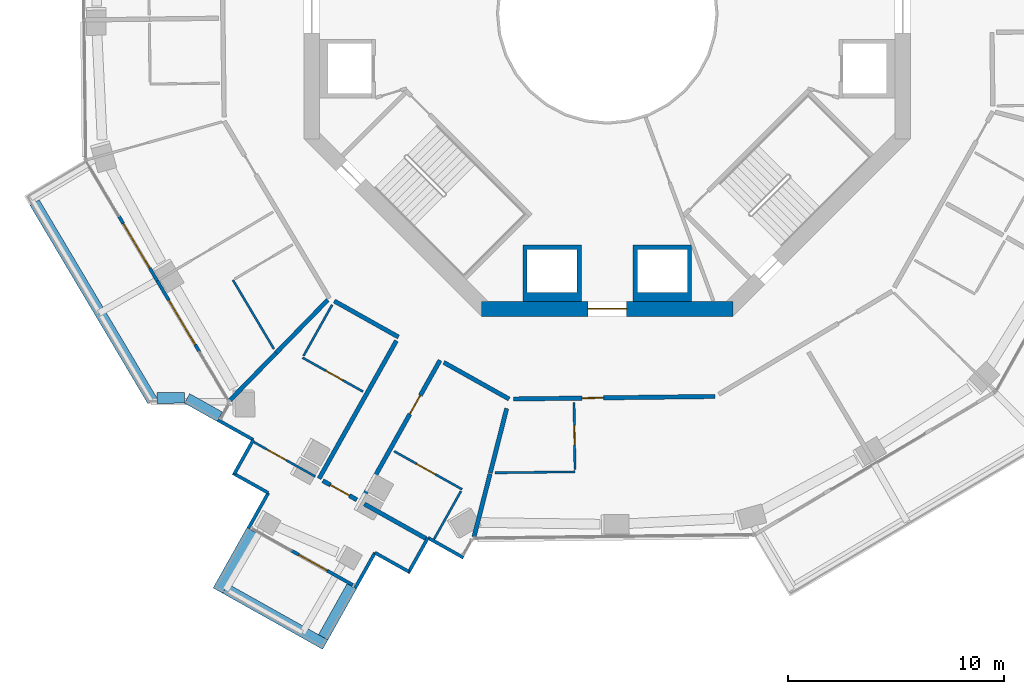
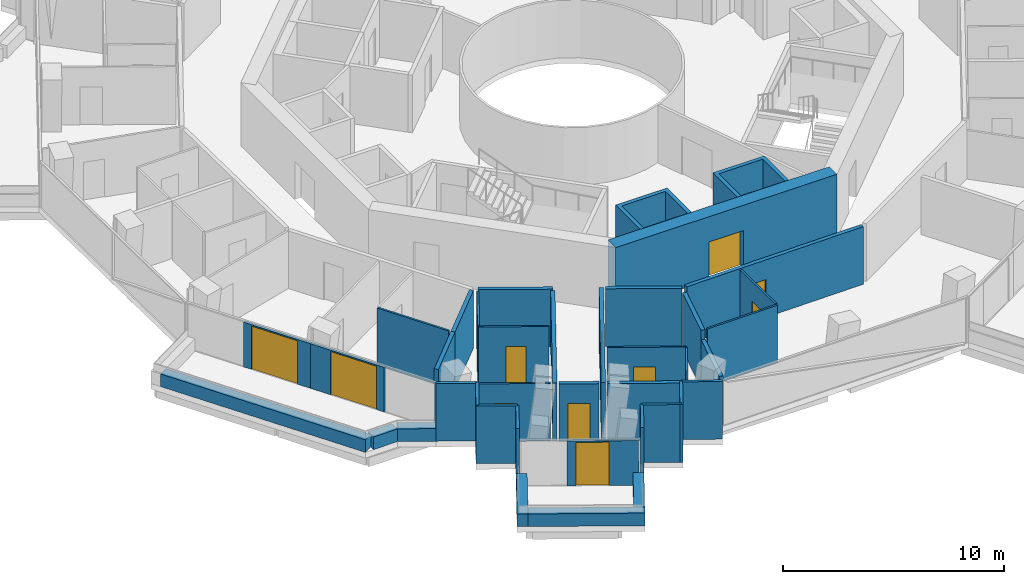
# One storey, part 13 of 21: 39 walls, 11 doors, 11 openings.
"""IFC4 building model written with IfcOpenShell, lengths in metres."""

from ifc_helpers import new_model, si_unit, direction, frame, frame_2d, origin, place, context, subcontext, project, spatial, polyline, rectangle, outline, extrude, material, layer, layer_set, type_object, element, fill, save


model = new_model("IFC4")

# Units and contexts
model_context = context("Model", 3, precision=1e-05, world=origin(), true_north=direction((0.0, 1.0)))
body_context = subcontext(model_context, "Body", "Model", "MODEL_VIEW")
ifc_project = project(units=[si_unit("LENGTHUNIT", "METRE"), si_unit("AREAUNIT", "SQUARE_METRE"), si_unit("VOLUMEUNIT", "CUBIC_METRE"), si_unit("PLANEANGLEUNIT", "RADIAN"), si_unit("MASSUNIT", "GRAM", prefix="KILO")], contexts=[model_context])

# Site, building, storey
site_placement = place(None, origin())
site = spatial("IfcSite", under=ifc_project, at=site_placement, CompositionType="ELEMENT")
building_placement = place(site_placement, origin())
building = spatial("IfcBuilding", under=site, at=building_placement, Name="Verdalira Terraces Hotel", CompositionType="ELEMENT")
storey_placement = place(building_placement, frame((0.0, 0.0, 158.5)))
storey = spatial("IfcBuildingStorey", under=building, at=storey_placement, Name="L38", CompositionType="ELEMENT", Elevation=158.5)

# Walls
ifc_material_1 = material(Name="Concrete C40", Category="concrete")
ifc_layer_1 = layer(ifc_material_1, 0.5)
ifc_layer_set_1 = layer_set([ifc_layer_1], Name="Balcony planter trough with tree")
wall_type_1 = type_object("IfcWallType", Name="Balcony planter trough with tree", PredefinedType="SOLIDWALL", material=ifc_layer_set_1)
wall_1_placement = place(storey_placement, frame((-26.455322, -8.741211, 0.0), z_axis=(0.0, 0.0, 1.0), x_axis=(0.510844266, -0.859673273, 0.0)))
element("IfcWall", 1, at=wall_1_placement, inside=storey, type_object=wall_type_1, Name="Balcony planter", PredefinedType="SOLIDWALL", context=body_context, shape_type="SweptSolid", body=[
    extrude(rectangle(XDim=10.652344, YDim=0.5, at=frame_2d((5.326172, 0.0))), origin(), (0.0, 0.0, 1.0), 0.699951),
])
wall_2_placement = place(storey_placement, frame((-20.798584, -17.770996, 0.0), z_axis=(0.0, 0.0, 1.0), x_axis=(0.999920914, 0.012576405, 0.0)))
element("IfcWall", 2, at=wall_2_placement, inside=storey, type_object=wall_type_1, Name="Balcony planter", PredefinedType="SOLIDWALL", context=body_context, shape_type="SweptSolid", body=[
    extrude(rectangle(XDim=1.261719, YDim=0.5, at=frame_2d((0.630859, 0.0))), origin(), (0.0, 0.0, 1.0), 0.699951),
])
wall_3_placement = place(storey_placement, frame((-19.411377, -17.787109, 0.0), z_axis=(0.0, 0.0, 1.0), x_axis=(0.872241358, -0.489075672, 0.0)))
element("IfcWall", 3, at=wall_3_placement, inside=storey, type_object=wall_type_1, Name="Balcony planter", PredefinedType="SOLIDWALL", context=body_context, shape_type="SweptSolid", body=[
    extrude(rectangle(XDim=1.731201, YDim=0.5, at=frame_2d((0.865723, 0.0))), origin(), (0.0, 0.0, 1.0), 0.699951),
])
wall_4_placement = place(storey_placement, frame((-16.425781, -23.876221, 0.0), z_axis=(0.0, 0.0, 1.0), x_axis=(-0.489112217, -0.872220866, 0.0)))
element("IfcWall", 4, at=wall_4_placement, inside=storey, type_object=wall_type_1, Name="Balcony planter", PredefinedType="SOLIDWALL", context=body_context, shape_type="SweptSolid", body=[
    extrude(rectangle(XDim=3.198975, YDim=0.5, at=frame_2d((1.599609, 0.0))), origin(), (0.0, 0.0, 1.0), 0.699951),
])
wall_5_placement = place(storey_placement, frame((-17.650146, -26.570801, 0.0), z_axis=(0.0, 0.0, 1.0), x_axis=(0.87224274, -0.489073207, 0.0)))
element("IfcWall", 5, at=wall_5_placement, inside=storey, type_object=wall_type_1, Name="Balcony planter", PredefinedType="SOLIDWALL", context=body_context, shape_type="SweptSolid", body=[
    extrude(rectangle(XDim=5.299805, YDim=0.5, at=frame_2d((2.649902, 0.0))), origin(), (0.0, 0.0, 1.0), 0.699951),
])
wall_6_placement = place(storey_placement, frame((-13.123047, -28.82251, 0.0), z_axis=(0.0, 0.0, 1.0), x_axis=(0.4890798, 0.872239044, 0.0)))
element("IfcWall", 6, at=wall_6_placement, inside=storey, type_object=wall_type_1, Name="Balcony planter", PredefinedType="SOLIDWALL", context=body_context, shape_type="SweptSolid", body=[
    extrude(rectangle(XDim=2.698975, YDim=0.5, at=frame_2d((1.349609, 0.0))), origin(), (0.0, 0.0, 1.0), 0.699951),
])
ifc_material_2 = material(Name="Moisture-resistant gypsum board partition")
ifc_layer_2 = layer(ifc_material_2, 0.10009765625)
ifc_layer_set_2 = layer_set([ifc_layer_2], Name="Bathroom partition 100 mm")
wall_type_2 = type_object("IfcWallType", Name="Bathroom partition 100 mm", PredefinedType="PARTITIONING", material=ifc_layer_set_2)
wall_7_placement = place(storey_placement, frame((-17.291016, -12.320312, 0.0), z_axis=(0.0, 0.0, 1.0), x_axis=(0.51084636, -0.859672029, 0.0)))
element("IfcWall", 7, at=wall_7_placement, inside=storey, type_object=wall_type_2, Name="Bathroom partition", PredefinedType="PARTITIONING", context=body_context, shape_type="SweptSolid", body=[
    extrude(rectangle(XDim=3.703857, YDim=0.100098, at=frame_2d((1.852051, 0.0))), origin(), (0.0, 0.0, 1.0), 3.189941),
])

# Wall, opening, door
wall_8_placement = place(storey_placement, frame((-16.32373, -19.804932, 0.0), z_axis=(0.0, 0.0, 1.0), x_axis=(0.872220381, -0.489113082, 0.0)))
wall_8 = element("IfcWall", 8, at=wall_8_placement, inside=storey, type_object=wall_type_2, Name="Bathroom partition", PredefinedType="PARTITIONING", context=body_context, shape_type="SweptSolid", body=[
    extrude(rectangle(XDim=3.251953, YDim=0.100098, at=frame_2d((1.625977, 0.0))), origin(), (0.0, 0.0, 1.0), 3.189941),
])
opening_1_placement = place(wall_8_placement, frame((0.699951, 0.0, 0.0)))
opening_1 = element("IfcOpeningElement", 9, at=opening_1_placement, cuts=wall_8, Name="Opening L38-117", PredefinedType="OPENING", context=body_context, shape_type="SweptSolid", body=[
    extrude(rectangle(XDim=1.0, YDim=2.100098, at=frame_2d((0.5, 1.050049))), frame((0.0, 0.060059, 0.0), z_axis=(0.0, -1.0, 0.0), x_axis=(1.0, 0.0, 0.0)), (0.0, 0.0, 1.0), 0.120117),
])
ifc_material_3 = material(Name="Timber door", Category="wood")
door_type_1 = type_object("IfcDoorType", Name="Suite internal door 1000 x 2100", OperationType="NOTDEFINED", PredefinedType="DOOR", material=ifc_material_3)
door_1_placement = place(opening_1_placement, origin())
door_1 = element("IfcDoor", 10, at=door_1_placement, inside=storey, type_object=door_type_1, Name="Suite internal door 3804", OperationType="SINGLE_SWING_LEFT", OverallHeight=2.10009765625, OverallWidth=1.0, PredefinedType="DOOR", context=body_context, shape_type="SweptSolid", body=[
    extrude(rectangle(XDim=1.0, YDim=2.100098, at=frame_2d((0.5, 1.050049))), frame((0.0, 0.024902, 0.0), z_axis=(0.0, -1.0, 0.0), x_axis=(1.0, 0.0, 0.0)), (0.0, 0.0, 1.0), 0.050049),
])
fill(opening_1, door_1)

# Wall
wall_9_placement = place(storey_placement, frame((-12.708008, -13.463135, 0.0), z_axis=(0.0, 0.0, 1.0), x_axis=(-0.489101666, -0.872226783, 0.0)))
element("IfcWall", 11, at=wall_9_placement, inside=storey, type_object=wall_type_2, Name="Bathroom partition", PredefinedType="PARTITIONING", context=body_context, shape_type="SweptSolid", body=[
    extrude(rectangle(XDim=2.699951, YDim=0.100098, at=frame_2d((1.350098, 0.0))), origin(), (0.0, 0.0, 1.0), 3.189941),
])

# Wall, opening, door
wall_10_placement = place(storey_placement, frame((-14.077393, -15.905518, 0.0), z_axis=(0.0, 0.0, 1.0), x_axis=(0.872243074, -0.489072612, 0.0)))
wall_10 = element("IfcWall", 12, at=wall_10_placement, inside=storey, type_object=wall_type_2, Name="Bathroom partition", PredefinedType="PARTITIONING", context=body_context, shape_type="SweptSolid", body=[
    extrude(rectangle(XDim=3.199707, YDim=0.100098, at=frame_2d((1.599854, 0.0))), origin(), (0.0, 0.0, 1.0), 3.189941),
])
opening_2_placement = place(wall_10_placement, frame((1.25, 0.0, 0.0)))
opening_2 = element("IfcOpeningElement", 13, at=opening_2_placement, cuts=wall_10, Name="Opening L38-118", PredefinedType="OPENING", context=body_context, shape_type="SweptSolid", body=[
    extrude(rectangle(XDim=0.899902, YDim=2.100098, at=frame_2d((0.449951, 1.050049))), frame((0.0, 0.060059, 0.0), z_axis=(0.0, -1.0, 0.0), x_axis=(1.0, 0.0, 0.0)), (0.0, 0.0, 1.0), 0.120117),
])
ifc_material_4 = material(Name="Timber door", Category="wood")
door_type_2 = type_object("IfcDoorType", Name="Bathroom door 900 x 2100", OperationType="NOTDEFINED", PredefinedType="DOOR", material=ifc_material_4)
door_2_placement = place(opening_2_placement, origin())
door_2 = element("IfcDoor", 14, at=door_2_placement, inside=storey, type_object=door_type_2, Name="Bathroom door 3804", OperationType="SINGLE_SWING_LEFT", OverallHeight=2.10009765625, OverallWidth=0.89990234375, PredefinedType="DOOR", context=body_context, shape_type="SweptSolid", body=[
    extrude(rectangle(XDim=0.899902, YDim=2.100098, at=frame_2d((0.449951, 1.050049))), frame((0.0, 0.024902, 0.0), z_axis=(0.0, -1.0, 0.0), x_axis=(1.0, 0.0, 0.0)), (0.0, 0.0, 1.0), 0.050049),
])
fill(opening_2, door_2)

wall_11_placement = place(storey_placement, frame((-6.709961, -21.985596, 0.0), z_axis=(0.0, 0.0, 1.0), x_axis=(-0.872237598, 0.489082379, 0.0)))
wall_11 = element("IfcWall", 15, at=wall_11_placement, inside=storey, type_object=wall_type_2, Name="Bathroom partition", PredefinedType="PARTITIONING", context=body_context, shape_type="SweptSolid", body=[
    extrude(rectangle(XDim=3.600098, YDim=0.100098, at=frame_2d((1.800049, 0.0))), origin(), (0.0, 0.0, 1.0), 3.189941),
])
opening_3_placement = place(wall_11_placement, frame((1.399902, 0.0, 0.0)))
opening_3 = element("IfcOpeningElement", 16, at=opening_3_placement, cuts=wall_11, Name="Opening L38-120", PredefinedType="OPENING", context=body_context, shape_type="SweptSolid", body=[
    extrude(rectangle(XDim=1.0, YDim=2.100098, at=frame_2d((0.5, 1.050049))), frame((0.0, 0.060059, 0.0), z_axis=(0.0, -1.0, 0.0), x_axis=(1.0, 0.0, 0.0)), (0.0, 0.0, 1.0), 0.120117),
])
ifc_material_5 = material(Name="Timber door", Category="wood")
door_type_3 = type_object("IfcDoorType", Name="Bathroom door 1000 x 2100", OperationType="NOTDEFINED", PredefinedType="DOOR", material=ifc_material_5)
door_3_placement = place(opening_3_placement, origin())
door_3 = element("IfcDoor", 17, at=door_3_placement, inside=storey, type_object=door_type_3, Name="Bathroom door 3805", OperationType="SINGLE_SWING_LEFT", OverallHeight=2.10009765625, OverallWidth=1.0, PredefinedType="DOOR", context=body_context, shape_type="SweptSolid", body=[
    extrude(rectangle(XDim=1.0, YDim=2.100098, at=frame_2d((0.5, 1.050049))), frame((0.0, 0.024902, 0.0), z_axis=(0.0, -1.0, 0.0), x_axis=(1.0, 0.0, 0.0)), (0.0, 0.0, 1.0), 0.050049),
])
fill(opening_3, door_3)

# Walls
wall_12_placement = place(storey_placement, frame((-6.758789, -22.072754, 0.0), z_axis=(0.0, 0.0, 1.0), x_axis=(-0.489101779, -0.872226719, 0.0)))
element("IfcWall", 18, at=wall_12_placement, inside=storey, type_object=wall_type_2, Name="Bathroom partition", PredefinedType="PARTITIONING", context=body_context, shape_type="SweptSolid", body=[
    extrude(rectangle(XDim=2.550293, YDim=0.100098, at=frame_2d((1.275146, 0.0))), origin(), (0.0, 0.0, 1.0), 3.189941),
])
wall_13_placement = place(storey_placement, frame((-1.492188, -21.178711, 0.0), z_axis=(0.0, 0.0, 1.0), x_axis=(-0.999920758, -0.012588812, 0.0)))
element("IfcWall", 19, at=wall_13_placement, inside=storey, type_object=wall_type_2, Name="Bathroom partition", PredefinedType="PARTITIONING", context=body_context, shape_type="SweptSolid", body=[
    extrude(rectangle(XDim=3.704102, YDim=0.100098, at=frame_2d((1.852051, 0.0))), origin(), (0.0, 0.0, 1.0), 3.189941),
])

# Wall, opening, door
wall_14_placement = place(storey_placement, frame((-1.493652, -21.078857, 0.0), z_axis=(0.0, 0.0, 1.0), x_axis=(-0.012521661, 0.999921601, 0.0)))
wall_14 = element("IfcWall", 20, at=wall_14_placement, inside=storey, type_object=wall_type_2, Name="Bathroom partition", PredefinedType="PARTITIONING", context=body_context, shape_type="SweptSolid", body=[
    extrude(rectangle(XDim=3.100098, YDim=0.100098, at=frame_2d((1.550049, 0.0))), origin(), (0.0, 0.0, 1.0), 3.189941),
])
opening_4_placement = place(wall_14_placement, frame((1.149902, 0.0, 0.0)))
opening_4 = element("IfcOpeningElement", 21, at=opening_4_placement, cuts=wall_14, Name="Opening L38-122", PredefinedType="OPENING", context=body_context, shape_type="SweptSolid", body=[
    extrude(rectangle(XDim=0.899902, YDim=2.100098, at=frame_2d((0.449951, 1.050049))), frame((0.0, 0.060059, 0.0), z_axis=(0.0, -1.0, 0.0), x_axis=(1.0, 0.0, 0.0)), (0.0, 0.0, 1.0), 0.120117),
])
door_4_placement = place(opening_4_placement, origin())
door_4 = element("IfcDoor", 22, at=door_4_placement, inside=storey, type_object=door_type_2, Name="Bathroom door 3806", OperationType="SINGLE_SWING_LEFT", OverallHeight=2.10009765625, OverallWidth=0.89990234375, PredefinedType="DOOR", context=body_context, shape_type="SweptSolid", body=[
    extrude(rectangle(XDim=0.899902, YDim=2.100098, at=frame_2d((0.449951, 1.050049))), frame((0.0, 0.024902, 0.0), z_axis=(0.0, -1.0, 0.0), x_axis=(1.0, 0.0, 0.0)), (0.0, 0.0, 1.0), 0.050049),
])
fill(opening_4, door_4)

# Walls
ifc_material_6 = material(Name="Concrete C50", Category="concrete")
ifc_layer_3 = layer(ifc_material_6, 0.199951171875)
ifc_layer_set_3 = layer_set([ifc_layer_3], Name="Core RC wall 200 C50")
wall_type_3 = type_object("IfcWallType", Name="Core RC wall 200 C50", PredefinedType="SOLIDWALL", material=ifc_layer_set_3)
wall_15_placement = place(storey_placement, origin())
element("IfcWall", 23, at=wall_15_placement, inside=storey, type_object=wall_type_3, Name="L38 shaft wall S1", PredefinedType="SOLIDWALL", context=body_context, shape_type="SweptSolid", body=[
    extrude(outline(polyline([(-1.199951, -13.300049), (-3.899902, -13.300049), (-3.899902, -10.699951), (-1.199951, -10.699951), (-1.199951, -13.300049)]), holes=[polyline([(-3.699951, -10.899902), (-3.699951, -12.899902), (-1.399902, -12.899902), (-1.399902, -10.899902), (-3.699951, -10.899902)])]), origin(), (0.0, 0.0, 1.0), 3.189941),
])
wall_16_placement = place(storey_placement, origin())
element("IfcWall", 24, at=wall_16_placement, inside=storey, type_object=wall_type_3, Name="L38 shaft wall S2", PredefinedType="SOLIDWALL", context=body_context, shape_type="SweptSolid", body=[
    extrude(outline(polyline([(3.899902, -10.699951), (3.899902, -13.300049), (1.199951, -13.300049), (1.199951, -10.699951), (3.899902, -10.699951)]), holes=[polyline([(1.399902, -12.899902), (3.699951, -12.899902), (3.699951, -10.899902), (1.399902, -10.899902), (1.399902, -12.899902)])]), origin(), (0.0, 0.0, 1.0), 3.189941),
])

# Wall, opening, door
ifc_material_7 = material(Name="Concrete C60", Category="concrete")
ifc_layer_4 = layer(ifc_material_7, 0.699951171875)
ifc_layer_set_4 = layer_set([ifc_layer_4], Name="Core wall 700 C60")
wall_type_4 = type_object("IfcWallType", Name="Core wall 700 C60", PredefinedType="SHEAR", material=ifc_layer_set_4)
wall_17_placement = place(storey_placement, frame((-5.799072, -13.649902, 0.0), z_axis=(0.0, 0.0, 1.0), x_axis=(1.0, 0.0, 0.0)))
wall_17 = element("IfcWall", 25, at=wall_17_placement, inside=storey, type_object=wall_type_4, Name="Core wall CW-L38-7", PredefinedType="SHEAR", context=body_context, shape_type="SweptSolid", body=[
    extrude(rectangle(XDim=11.598145, YDim=0.699951, at=frame_2d((5.799072, 0.0))), origin(), (0.0, 0.0, 1.0), 3.5),
])
opening_5_placement = place(wall_17_placement, frame((4.898926, 0.0, 0.0)))
opening_5 = element("IfcOpeningElement", 26, at=opening_5_placement, cuts=wall_17, Name="Opening L38-815", PredefinedType="OPENING", context=body_context, shape_type="SweptSolid", body=[
    extrude(rectangle(XDim=1.800049, YDim=2.100098, at=frame_2d((0.899902, 1.050049))), frame((0.0, 0.359863, 0.0), z_axis=(0.0, -1.0, 0.0), x_axis=(1.0, 0.0, 0.0)), (0.0, 0.0, 1.0), 0.719971),
])
ifc_material_8 = material(Name="Steel fire door", Category="steel")
door_type_4 = type_object("IfcDoorType", Name="Core entry door pair 1800 x 2100", OperationType="NOTDEFINED", PredefinedType="DOOR", material=ifc_material_8)
door_5_placement = place(opening_5_placement, origin())
door_5 = element("IfcDoor", 27, at=door_5_placement, inside=storey, type_object=door_type_4, Name="Core entry door L38 6", OperationType="DOUBLE_DOOR_SINGLE_SWING", OverallHeight=2.10009765625, OverallWidth=1.800048828125, PredefinedType="DOOR", context=body_context, shape_type="SweptSolid", body=[
    extrude(rectangle(XDim=1.800049, YDim=2.100098, at=frame_2d((0.899902, 1.050049))), frame((0.0, 0.024902, 0.0), z_axis=(0.0, -1.0, 0.0), x_axis=(1.0, 0.0, 0.0)), (0.0, 0.0, 1.0), 0.050049),
])
fill(opening_5, door_5)

# Walls
ifc_material_9 = material(Name="Fire-rated gypsum board wall")
ifc_layer_5 = layer(ifc_material_9, 0.199951171875)
ifc_layer_set_5 = layer_set([ifc_layer_5], Name="Demising wall 200 mm")
wall_type_5 = type_object("IfcWallType", Name="Demising wall 200 mm", PredefinedType="SOLIDWALL", material=ifc_layer_set_5)
wall_18_placement = place(storey_placement, frame((-15.293213, -15.682373, 0.0), z_axis=(0.0, 0.0, 1.0), x_axis=(-0.698153316, -0.715948286, 0.0)))
element("IfcWall", 28, at=wall_18_placement, inside=storey, type_object=wall_type_5, Name="Demising wall", PredefinedType="SOLIDWALL", context=body_context, shape_type="SweptSolid", body=[
    extrude(rectangle(XDim=3.05957, YDim=0.199951, at=frame_2d((1.529785, 0.0))), origin(), (0.0, 0.0, 1.0), 3.189941),
])
wall_19_placement = place(storey_placement, frame((-12.907959, -13.236572, 0.0), z_axis=(0.0, 0.0, 1.0), x_axis=(-0.698189888, -0.71591262, 0.0)))
element("IfcWall", 29, at=wall_19_placement, inside=storey, type_object=wall_type_5, Name="Demising wall", PredefinedType="SOLIDWALL", context=body_context, shape_type="SweptSolid", body=[
    extrude(rectangle(XDim=3.41626, YDim=0.199951, at=frame_2d((1.708008, 0.0))), origin(), (0.0, 0.0, 1.0), 3.189941),
])
wall_20_placement = place(storey_placement, frame((-11.221191, -22.66626, 0.0), z_axis=(0.0, 0.0, 1.0), x_axis=(0.872270363, -0.489023939, 0.0)))
element("IfcWall", 30, at=wall_20_placement, inside=storey, type_object=wall_type_5, Name="Demising wall", PredefinedType="SOLIDWALL", context=body_context, shape_type="SweptSolid", body=[
    extrude(rectangle(XDim=3.251953, YDim=0.199951, at=frame_2d((1.625977, 0.0))), origin(), (0.0, 0.0, 1.0), 3.189941),
])
wall_21_placement = place(storey_placement, frame((-4.64502, -18.25, 0.0), z_axis=(0.0, 0.0, 1.0), x_axis=(-0.246699618, -0.969091997, 0.0)))
element("IfcWall", 31, at=wall_21_placement, inside=storey, type_object=wall_type_5, Name="Demising wall", PredefinedType="SOLIDWALL", context=body_context, shape_type="SweptSolid", body=[
    extrude(rectangle(XDim=3.074707, YDim=0.199951, at=frame_2d((1.537354, 0.0))), origin(), (0.0, 0.0, 1.0), 3.189941),
])
ifc_material_10 = material(Name="Fire-rated gypsum board wall")
ifc_layer_6 = layer(ifc_material_10, 0.199951171875)
ifc_layer_set_6 = layer_set([ifc_layer_6], Name="Demising wall 200 mm to beam soffit")
wall_type_6 = type_object("IfcWallType", Name="Demising wall 200 mm to beam soffit", PredefinedType="SOLIDWALL", material=ifc_layer_set_6)
wall_22_placement = place(storey_placement, frame((-5.414795, -21.274414, 0.0), z_axis=(0.0, 0.0, 1.0), x_axis=(-0.246711121, -0.969089068, 0.0)))
element("IfcWall", 32, at=wall_22_placement, inside=storey, type_object=wall_type_6, Name="Demising wall", PredefinedType="SOLIDWALL", context=body_context, shape_type="SweptSolid", body=[
    extrude(rectangle(XDim=3.01123, YDim=0.199951, at=frame_2d((1.505615, 0.0))), origin(), (0.0, 0.0, 1.0), 2.689941),
])

# Wall, opening, door
ifc_material_11 = material(Name="Fire-rated gypsum board wall")
ifc_layer_7 = layer(ifc_material_11, 0.199951171875)
ifc_layer_set_7 = layer_set([ifc_layer_7], Name="Guest corridor wall 200 mm")
wall_type_7 = type_object("IfcWallType", Name="Guest corridor wall 200 mm", PredefinedType="SOLIDWALL", material=ifc_layer_set_7)
wall_23_placement = place(storey_placement, frame((-11.566406, -22.472412, 0.0), z_axis=(0.0, 0.0, 1.0), x_axis=(-0.872261312, 0.489040084, 0.0)))
wall_23 = element("IfcWall", 33, at=wall_23_placement, inside=storey, type_object=wall_type_7, Name="Guest corridor wall", PredefinedType="SOLIDWALL", context=body_context, shape_type="SweptSolid", body=[
    extrude(rectangle(XDim=1.804199, YDim=0.199951, at=frame_2d((0.9021, 0.0))), origin(), (0.0, 0.0, 1.0), 3.189941),
])
opening_6_placement = place(wall_23_placement, frame((0.399902, 0.0, 0.0)))
opening_6 = element("IfcOpeningElement", 34, at=opening_6_placement, cuts=wall_23, Name="Opening L38-116", PredefinedType="OPENING", context=body_context, shape_type="SweptSolid", body=[
    extrude(rectangle(XDim=1.0, YDim=2.100098, at=frame_2d((0.5, 1.050049))), frame((0.0, 0.109863, 0.0), z_axis=(0.0, -1.0, 0.0), x_axis=(1.0, 0.0, 0.0)), (0.0, 0.0, 1.0), 0.219971),
])
ifc_material_12 = material(Name="Timber fire door", Category="wood")
door_type_5 = type_object("IfcDoorType", Name="Guest entry door 1000 x 2100", OperationType="NOTDEFINED", PredefinedType="DOOR", material=ifc_material_12)
door_6_placement = place(opening_6_placement, origin())
door_6 = element("IfcDoor", 35, at=door_6_placement, inside=storey, type_object=door_type_5, Name="Guest entry door 3804", OperationType="SINGLE_SWING_LEFT", OverallHeight=2.10009765625, OverallWidth=1.0, PredefinedType="DOOR", context=body_context, shape_type="SweptSolid", body=[
    extrude(rectangle(XDim=1.0, YDim=2.100098, at=frame_2d((0.5, 1.050049))), frame((0.0, 0.024902, 0.0), z_axis=(0.0, -1.0, 0.0), x_axis=(1.0, 0.0, 0.0)), (0.0, 0.0, 1.0), 0.050049),
])
fill(opening_6, door_6)

# Walls
wall_24_placement = place(storey_placement, frame((-9.742432, -15.125977, 0.0), z_axis=(0.0, 0.0, 1.0), x_axis=(-0.48907786, -0.872240131, 0.0)))
element("IfcWall", 36, at=wall_24_placement, inside=storey, type_object=wall_type_7, Name="Guest corridor wall", PredefinedType="SOLIDWALL", context=body_context, shape_type="SweptSolid", body=[
    extrude(rectangle(XDim=7.300049, YDim=0.199951, at=frame_2d((3.649902, 0.0))), origin(), (0.0, 0.0, 1.0), 3.189941),
])
wall_25_placement = place(storey_placement, frame((-12.610352, -13.288818, 0.0), z_axis=(0.0, 0.0, 1.0), x_axis=(0.872270806, -0.489023149, 0.0)))
element("IfcWall", 37, at=wall_25_placement, inside=storey, type_object=wall_type_7, Name="Guest corridor wall", PredefinedType="SOLIDWALL", context=body_context, shape_type="SweptSolid", body=[
    extrude(rectangle(XDim=3.399902, YDim=0.199951, at=frame_2d((1.699951, 0.0))), origin(), (0.0, 0.0, 1.0), 3.189941),
])

# Wall, opening, door
wall_26_placement = place(storey_placement, frame((-7.725586, -16.027588, 0.0), z_axis=(0.0, 0.0, 1.0), x_axis=(-0.489093951, -0.872231109, 0.0)))
wall_26 = element("IfcWall", 38, at=wall_26_placement, inside=storey, type_object=wall_type_7, Name="Guest corridor wall", PredefinedType="SOLIDWALL", context=body_context, shape_type="SweptSolid", body=[
    extrude(rectangle(XDim=7.5, YDim=0.199951, at=frame_2d((3.75, 0.0))), origin(), (0.0, 0.0, 1.0), 3.189941),
])
opening_7_placement = place(wall_26_placement, frame((1.850098, 0.0, 0.0)))
opening_7 = element("IfcOpeningElement", 39, at=opening_7_placement, cuts=wall_26, Name="Opening L38-119", PredefinedType="OPENING", context=body_context, shape_type="SweptSolid", body=[
    extrude(rectangle(XDim=1.0, YDim=2.100098, at=frame_2d((0.5, 1.050049))), frame((0.0, 0.109863, 0.0), z_axis=(0.0, -1.0, 0.0), x_axis=(1.0, 0.0, 0.0)), (0.0, 0.0, 1.0), 0.219971),
])
door_7_placement = place(opening_7_placement, origin())
door_7 = element("IfcDoor", 40, at=door_7_placement, inside=storey, type_object=door_type_5, Name="Guest entry door 3805", OperationType="SINGLE_SWING_LEFT", OverallHeight=2.10009765625, OverallWidth=1.0, PredefinedType="DOOR", context=body_context, shape_type="SweptSolid", body=[
    extrude(rectangle(XDim=1.0, YDim=2.100098, at=frame_2d((0.5, 1.050049))), frame((0.0, 0.024902, 0.0), z_axis=(0.0, -1.0, 0.0), x_axis=(1.0, 0.0, 0.0)), (0.0, 0.0, 1.0), 0.050049),
])
fill(opening_7, door_7)

# Wall
wall_27_placement = place(storey_placement, frame((-7.55127, -16.125244, 0.0), z_axis=(0.0, 0.0, 1.0), x_axis=(0.87222899, -0.489097729, 0.0)))
element("IfcWall", 41, at=wall_27_placement, inside=storey, type_object=wall_type_7, Name="Guest corridor wall", PredefinedType="SOLIDWALL", context=body_context, shape_type="SweptSolid", body=[
    extrude(rectangle(XDim=3.458252, YDim=0.199951, at=frame_2d((1.729004, 0.0))), origin(), (0.0, 0.0, 1.0), 3.189941),
])

# Wall, opening, door
wall_28_placement = place(storey_placement, frame((4.980713, -17.697021, 0.0), z_axis=(0.0, 0.0, 1.0), x_axis=(-0.999920882, -0.01257894, 0.0)))
wall_28 = element("IfcWall", 42, at=wall_28_placement, inside=storey, type_object=wall_type_7, Name="Guest corridor wall", PredefinedType="SOLIDWALL", context=body_context, shape_type="SweptSolid", body=[
    extrude(rectangle(XDim=9.316162, YDim=0.199951, at=frame_2d((4.658203, 0.0))), origin(), (0.0, 0.0, 1.0), 3.189941),
])
opening_8_placement = place(wall_28_placement, frame((5.149902, 0.0, 0.0)))
opening_8 = element("IfcOpeningElement", 43, at=opening_8_placement, cuts=wall_28, Name="Opening L38-121", PredefinedType="OPENING", context=body_context, shape_type="SweptSolid", body=[
    extrude(rectangle(XDim=1.0, YDim=2.100098, at=frame_2d((0.5, 1.050049))), frame((0.0, 0.109863, 0.0), z_axis=(0.0, -1.0, 0.0), x_axis=(1.0, 0.0, 0.0)), (0.0, 0.0, 1.0), 0.219971),
])
door_8_placement = place(opening_8_placement, origin())
door_8 = element("IfcDoor", 44, at=door_8_placement, inside=storey, type_object=door_type_5, Name="Guest entry door 3806", OperationType="SINGLE_SWING_LEFT", OverallHeight=2.10009765625, OverallWidth=1.0, PredefinedType="DOOR", context=body_context, shape_type="SweptSolid", body=[
    extrude(rectangle(XDim=1.0, YDim=2.100098, at=frame_2d((0.5, 1.050049))), frame((0.0, 0.024902, 0.0), z_axis=(0.0, -1.0, 0.0), x_axis=(1.0, 0.0, 0.0)), (0.0, 0.0, 1.0), 0.050049),
])
fill(opening_8, door_8)

# Walls
ifc_material_13 = material(Name="Terracotta cladding", Category="masonry")
ifc_layer_8 = layer(ifc_material_13, 0.14990234375)
ifc_layer_set_8 = layer_set([ifc_layer_8], Name="Terracotta clad wall 150")
wall_type_8 = type_object("IfcWallType", Name="Terracotta clad wall 150", PredefinedType="SOLIDWALL", material=ifc_layer_set_8)
wall_29_placement = place(storey_placement, frame((-17.986084, -18.786865, 0.0), z_axis=(0.0, 0.0, 1.0), x_axis=(0.872221634, -0.489110848, 0.0)))
element("IfcWall", 45, at=wall_29_placement, inside=storey, type_object=wall_type_8, Name="Terracotta cladding wall", PredefinedType="SOLIDWALL", context=body_context, shape_type="SweptSolid", body=[
    extrude(rectangle(XDim=1.874756, YDim=0.149902, at=frame_2d((0.9375, 0.0))), origin(), (0.0, 0.0, 1.0), 3.189941),
])
wall_30_placement = place(storey_placement, frame((-16.35083, -19.703857, 0.0), z_axis=(0.0, 0.0, 1.0), x_axis=(-0.488979181, -0.872295455, 0.0)))
element("IfcWall", 46, at=wall_30_placement, inside=storey, type_object=wall_type_8, Name="Terracotta cladding wall", PredefinedType="SOLIDWALL", context=body_context, shape_type="SweptSolid", body=[
    extrude(rectangle(XDim=1.800049, YDim=0.149902, at=frame_2d((0.899902, 0.0))), origin(), (0.0, 0.0, 1.0), 3.189941),
])
wall_31_placement = place(storey_placement, frame((-17.296387, -21.237305, 0.0), z_axis=(0.0, 0.0, 1.0), x_axis=(0.872221634, -0.489110848, 0.0)))
element("IfcWall", 47, at=wall_31_placement, inside=storey, type_object=wall_type_8, Name="Terracotta cladding wall", PredefinedType="SOLIDWALL", context=body_context, shape_type="SweptSolid", body=[
    extrude(rectangle(XDim=1.874756, YDim=0.149902, at=frame_2d((0.9375, 0.0))), origin(), (0.0, 0.0, 1.0), 3.189941),
])
for number, where, z_axis, x_axis, name in (
    (48, (-15.661133, -22.154297, 0.0), (0.0, 0.0, 1.0), (-0.489055299, -0.872252781, 0.0), "Terracotta cladding wall"),
    (49, (-11.649902, -26.552979, 0.0), (0.0, 0.0, 1.0), (0.489055299, 0.872252781, 0.0), "Terracotta cladding wall"),
):
    element("IfcWall", number, at=place(storey_placement, frame(where, z_axis=z_axis, x_axis=x_axis)), inside=storey, type_object=wall_type_8, Name=name, PredefinedType="SOLIDWALL", context=body_context, shape_type="SweptSolid", body=[
        extrude(rectangle(XDim=1.875, YDim=0.149902, at=frame_2d((0.9375, 0.0))), origin(), (0.0, 0.0, 1.0), 3.189941),
    ])
wall_32_placement = place(storey_placement, frame((-10.73291, -24.91748, 0.0), z_axis=(0.0, 0.0, 1.0), x_axis=(0.872237598, -0.489082379, 0.0)))
element("IfcWall", 50, at=wall_32_placement, inside=storey, type_object=wall_type_8, Name="Terracotta cladding wall", PredefinedType="SOLIDWALL", context=body_context, shape_type="SweptSolid", body=[
    extrude(rectangle(XDim=1.800049, YDim=0.149902, at=frame_2d((0.899902, 0.0))), origin(), (0.0, 0.0, 1.0), 3.189941),
])
wall_33_placement = place(storey_placement, frame((-9.199463, -25.863281, 0.0), z_axis=(0.0, 0.0, 1.0), x_axis=(0.489055299, 0.872252781, 0.0)))
element("IfcWall", 51, at=wall_33_placement, inside=storey, type_object=wall_type_8, Name="Terracotta cladding wall", PredefinedType="SOLIDWALL", context=body_context, shape_type="SweptSolid", body=[
    extrude(rectangle(XDim=1.875, YDim=0.149902, at=frame_2d((0.9375, 0.0))), origin(), (0.0, 0.0, 1.0), 3.189941),
])
wall_34_placement = place(storey_placement, frame((-8.282471, -24.227783, 0.0), z_axis=(0.0, 0.0, 1.0), x_axis=(0.872197236, -0.489154354, 0.0)))
element("IfcWall", 52, at=wall_34_placement, inside=storey, type_object=wall_type_8, Name="Terracotta cladding wall", PredefinedType="SOLIDWALL", context=body_context, shape_type="SweptSolid", body=[
    extrude(rectangle(XDim=1.875244, YDim=0.149902, at=frame_2d((0.9375, 0.0))), origin(), (0.0, 0.0, 1.0), 3.189941),
])

# Wall, opening, door
ifc_material_14 = material(Name="Terracotta cladding", Category="masonry")
ifc_layer_9 = layer(ifc_material_14, 0.14990234375)
ifc_layer_set_9 = layer_set([ifc_layer_9], Name="Terracotta door pier 150")
wall_type_9 = type_object("IfcWallType", Name="Terracotta door pier 150", PredefinedType="SOLIDWALL", material=ifc_layer_set_9)
wall_35_placement = place(storey_placement, frame((-22.564941, -9.366455, 0.0), z_axis=(0.0, 0.0, 1.0), x_axis=(0.510813046, -0.859691824, 0.0)))
wall_35 = element("IfcWall", 53, at=wall_35_placement, inside=storey, type_object=wall_type_9, Name="Terracotta door pier", PredefinedType="SOLIDWALL", context=body_context, shape_type="SweptSolid", body=[
    extrude(rectangle(XDim=3.475098, YDim=0.149902, at=frame_2d((1.737549, 0.0))), origin(), (0.0, 0.0, 1.0), 2.475098),
])
opening_9_placement = place(wall_35_placement, frame((0.399902, 0.0, 0.0)))
opening_9 = element("IfcOpeningElement", 54, at=opening_9_placement, cuts=wall_35, Name="Opening L38-B04", PredefinedType="OPENING", context=body_context, shape_type="SweptSolid", body=[
    extrude(rectangle(XDim=2.399902, YDim=2.399902, at=frame_2d((1.199951, 1.199951))), frame((0.0, 0.084961, 0.0), z_axis=(0.0, -1.0, 0.0), x_axis=(1.0, 0.0, 0.0)), (0.0, 0.0, 1.0), 0.169922),
])
ifc_material_15 = material(Name="Clear glass", Category="glass")
door_type_6 = type_object("IfcDoorType", Name="Balcony sliding door 2400x2400", OperationType="NOTDEFINED", PredefinedType="DOOR", material=ifc_material_15)
door_9_placement = place(opening_9_placement, origin())
door_9 = element("IfcDoor", 55, at=door_9_placement, inside=storey, type_object=door_type_6, Name="Balcony sliding door", OperationType="SLIDING_TO_RIGHT", OverallHeight=2.39990234375, OverallWidth=2.39990234375, PredefinedType="DOOR", context=body_context, shape_type="SweptSolid", body=[
    extrude(rectangle(XDim=2.399902, YDim=2.399902, at=frame_2d((1.199951, 1.199951))), frame((0.0, 0.024902, 0.0), z_axis=(0.0, -1.0, 0.0), x_axis=(1.0, 0.0, 0.0)), (0.0, 0.0, 1.0), 0.050049),
])
fill(opening_9, door_9)

wall_36_placement = place(storey_placement, frame((-20.789795, -12.354004, 0.0), z_axis=(0.0, 0.0, 1.0), x_axis=(0.51088727, -0.859647717, 0.0)))
wall_36 = element("IfcWall", 56, at=wall_36_placement, inside=storey, type_object=wall_type_9, Name="Terracotta door pier", PredefinedType="SOLIDWALL", context=body_context, shape_type="SweptSolid", body=[
    extrude(rectangle(XDim=3.835449, YDim=0.149902, at=frame_2d((1.917725, 0.0))), origin(), (0.0, 0.0, 1.0), 2.475098),
])
opening_10_placement = place(wall_36_placement, frame((1.0354, 0.0, 0.0)))
opening_10 = element("IfcOpeningElement", 57, at=opening_10_placement, cuts=wall_36, Name="Opening L38-B05", PredefinedType="OPENING", context=body_context, shape_type="SweptSolid", body=[
    extrude(rectangle(XDim=2.399902, YDim=2.399902, at=frame_2d((1.199951, 1.199951))), frame((0.0, 0.084961, 0.0), z_axis=(0.0, -1.0, 0.0), x_axis=(1.0, 0.0, 0.0)), (0.0, 0.0, 1.0), 0.169922),
])
door_10_placement = place(opening_10_placement, origin())
door_10 = element("IfcDoor", 58, at=door_10_placement, inside=storey, type_object=door_type_6, Name="Balcony sliding door", OperationType="SLIDING_TO_LEFT", OverallHeight=2.39990234375, OverallWidth=2.39990234375, PredefinedType="DOOR", context=body_context, shape_type="SweptSolid", body=[
    extrude(rectangle(XDim=2.399902, YDim=2.399902, at=frame_2d((1.199951, 1.199951))), frame((0.0, 0.024902, 0.0), z_axis=(0.0, -1.0, 0.0), x_axis=(1.0, 0.0, 0.0)), (0.0, 0.0, 1.0), 0.050049),
])
fill(opening_10, door_10)

wall_37_placement = place(storey_placement, frame((-14.591797, -24.817383, 0.0), z_axis=(0.0, 0.0, 1.0), x_axis=(0.87222876, -0.48909814, 0.0)))
wall_37 = element("IfcWall", 59, at=wall_37_placement, inside=storey, type_object=wall_type_9, Name="Terracotta door pier", PredefinedType="SOLIDWALL", context=body_context, shape_type="SweptSolid", body=[
    extrude(rectangle(XDim=3.26001, YDim=0.149902, at=frame_2d((1.629883, 0.0))), origin(), (0.0, 0.0, 1.0), 2.475098),
])
opening_11_placement = place(wall_37_placement, frame((0.399902, 0.0, 0.0)))
opening_11 = element("IfcOpeningElement", 60, at=opening_11_placement, cuts=wall_37, Name="Opening L38-B06", PredefinedType="OPENING", context=body_context, shape_type="SweptSolid", body=[
    extrude(rectangle(XDim=1.5, YDim=2.399902, at=frame_2d((0.75, 1.199951))), frame((0.0, 0.084961, 0.0), z_axis=(0.0, -1.0, 0.0), x_axis=(1.0, 0.0, 0.0)), (0.0, 0.0, 1.0), 0.169922),
])
ifc_material_16 = material(Name="Clear glass", Category="glass")
door_type_7 = type_object("IfcDoorType", Name="Balcony sliding door 1500x2400", OperationType="NOTDEFINED", PredefinedType="DOOR", material=ifc_material_16)
door_11_placement = place(opening_11_placement, origin())
door_11 = element("IfcDoor", 61, at=door_11_placement, inside=storey, type_object=door_type_7, Name="Balcony sliding door", OperationType="SLIDING_TO_RIGHT", OverallHeight=2.39990234375, OverallWidth=1.5, PredefinedType="DOOR", context=body_context, shape_type="SweptSolid", body=[
    extrude(rectangle(XDim=1.5, YDim=2.399902, at=frame_2d((0.75, 1.199951))), frame((0.0, 0.024902, 0.0), z_axis=(0.0, -1.0, 0.0), x_axis=(1.0, 0.0, 0.0)), (0.0, 0.0, 1.0), 0.050049),
])
fill(opening_11, door_11)

save(model, "model.ifc")
